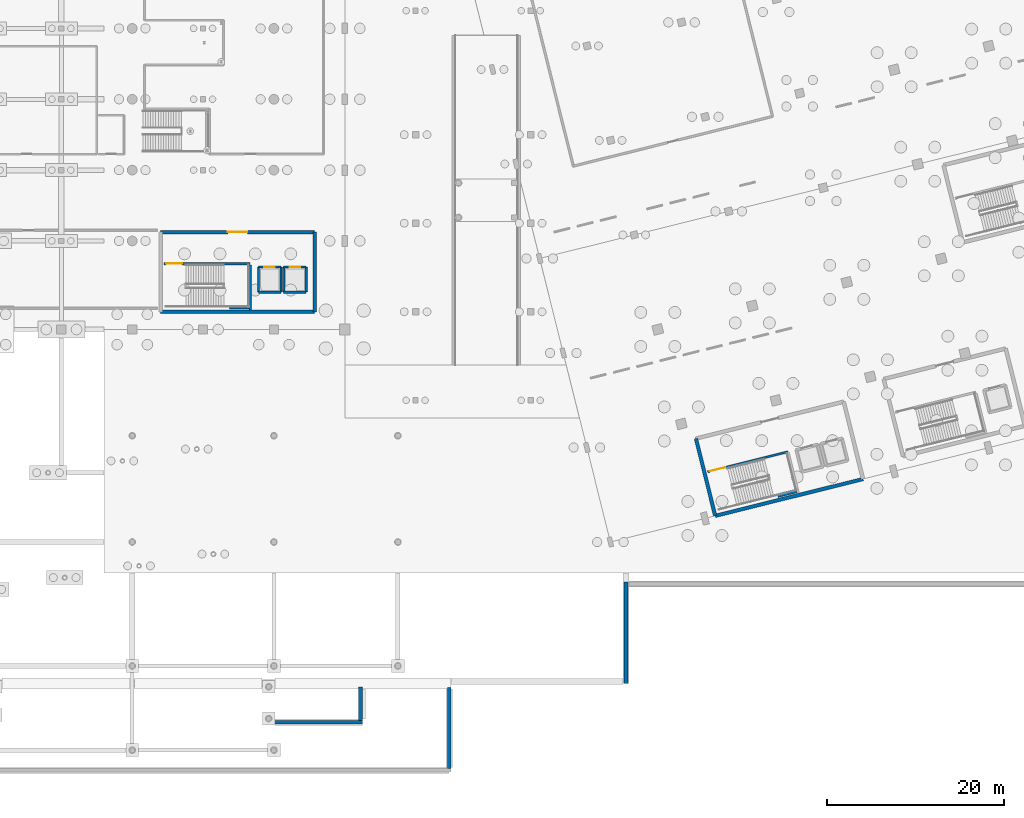
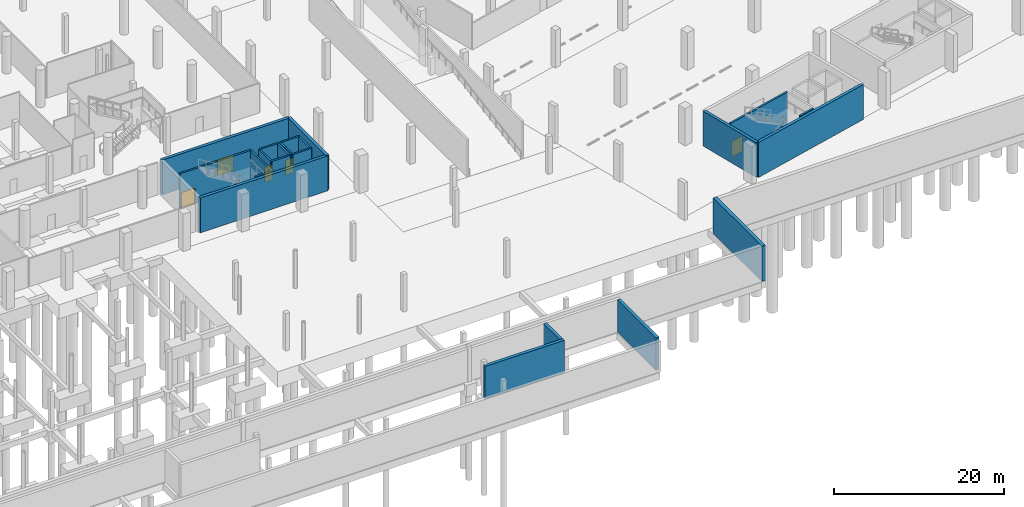
# One storey, part 52 of 65: 22 walls, 5 doors, 5 openings.
"""IFC4 building model written with IfcOpenShell, lengths in metres."""

import ifcopenshell
import ifcopenshell.guid

model = None  # the IFC model being written
_history = None  # IfcOwnerHistory: only IFC2X3 demands one
_inside = {}  # id of a spatial element -> (the spatial element, [elements in it])
_under = {}  # id of a project, library or spatial element -> (it, [spatial elements below it])
_declared = {}  # id of a project -> (the project, [libraries it declares])
_typed = {}  # id of a type object -> (the type object, [elements of that type])
_made_of = {}  # id of a material, layer set ... -> (it, [elements and type objects made of it])


def new_model(schema):
    """Start an empty IFC model of exactly this schema.

    Asked for "IFC4X3", IfcOpenShell would pick the latest addendum, in which some entities
    have other attributes; the version numbers below select the first issue.
    IFC2X3 requires an IfcOwnerHistory on every rooted entity: one is made here for all.
    """
    global model, _history
    if schema == "IFC4X3":
        model = ifcopenshell.file(schema_version=(4, 3, 0, 0))
    else:
        model = ifcopenshell.file(schema=schema)
    _inside.clear()
    _under.clear()
    _declared.clear()
    _typed.clear()
    _made_of.clear()
    _history = None
    if model.schema == "IFC2X3":
        org = make("IfcOrganization", Name="unknown")
        user = make(
            "IfcPersonAndOrganization",
            ThePerson=make("IfcPerson", FamilyName="unknown"),
            TheOrganization=org,
        )
        app = make(
            "IfcApplication",
            ApplicationDeveloper=org,
            Version="unknown",
            ApplicationFullName="unknown",
            ApplicationIdentifier="unknown",
        )
        _history = make(
            "IfcOwnerHistory",
            OwningUser=user,
            OwningApplication=app,
            ChangeAction="ADDED",
            CreationDate=0,
        )
    return model


def make(cls, **values):
    """One entity of the class cls with the attributes given. An attribute that is None is left unset."""
    return model.create_entity(
        cls, **{name: value for name, value in values.items() if value is not None}
    )


def rooted(cls, **values):
    """An entity with a GlobalId (a new one), such as an element, a storey or a relation."""
    return make(cls, GlobalId=ifcopenshell.guid.new(), OwnerHistory=_history, **values)


def si_unit(unit_type, name, prefix=None):
    """IfcSIUnit, for example si_unit("LENGTHUNIT", "METRE", prefix="MILLI")."""
    return make("IfcSIUnit", UnitType=unit_type, Prefix=prefix, Name=name)


def assignment(units):
    """IfcUnitAssignment: the units of a project."""
    return None if units is None else make("IfcUnitAssignment", Units=units)


def point(xyz):
    """IfcCartesianPoint."""
    return None if xyz is None else make("IfcCartesianPoint", Coordinates=xyz)


def direction(xyz):
    """IfcDirection."""
    return None if xyz is None else make("IfcDirection", DirectionRatios=xyz)


def frame(location, z_axis=None, x_axis=None):
    """IfcAxis2Placement3D, a coordinate frame: its origin and axes. An axis left out is left unset."""
    return make(
        "IfcAxis2Placement3D",
        Location=point(location),
        Axis=direction(z_axis),
        RefDirection=direction(x_axis),
    )


def frame_2d(location, x_axis=None):
    """IfcAxis2Placement2D, a coordinate frame in the plane: its origin and x axis."""
    return make(
        "IfcAxis2Placement2D", Location=point(location), RefDirection=direction(x_axis)
    )


def origin():
    """The frame at (0, 0, 0) with its axes left unset."""
    return frame((0.0, 0.0, 0.0))


def place(relative_to, where):
    """IfcLocalPlacement: puts the frame where relative to a parent placement (None: the world)."""
    return make(
        "IfcLocalPlacement", PlacementRelTo=relative_to, RelativePlacement=where
    )


def context(
    kind, dimensions, precision=None, world=None, true_north=None, identifier=None
):
    """IfcGeometricRepresentationContext, for example the 3D "Model" context."""
    return make(
        "IfcGeometricRepresentationContext",
        ContextIdentifier=identifier,
        ContextType=kind,
        CoordinateSpaceDimension=dimensions,
        Precision=precision,
        WorldCoordinateSystem=world,
        TrueNorth=true_north,
    )


def subcontext(parent, identifier, kind, view, scale=None):
    """IfcGeometricRepresentationSubContext, for example "Body" below "Model"."""
    return make(
        "IfcGeometricRepresentationSubContext",
        ContextIdentifier=identifier,
        ContextType=kind,
        ParentContext=parent,
        TargetScale=scale,
        TargetView=view,
    )


def project(units=None, contexts=None):
    """IfcProject with its units and contexts."""
    return rooted(
        "IfcProject",
        Name="project",
        RepresentationContexts=contexts,
        UnitsInContext=assignment(units),
    )


def spatial(cls, under=None, at=None, **own):
    """A site, building, storey or space (cls), placed at a placement, below another one or the project."""
    s = rooted(cls, ObjectPlacement=at, **own)
    if under is not None:
        _under.setdefault(under.id(), (under, []))[1].append(s)
    return s


def profile(cls, at=None, kind="AREA", **sizes):
    """A parametric profile (cls). Its sizes go by their IFC names, for example OverallWidth=200.0."""
    return make(cls, ProfileType=kind, Position=at, **sizes)


def rectangle(**sizes):
    """IfcRectangleProfileDef."""
    return profile("IfcRectangleProfileDef", **sizes)


def extrude(swept, where, along, depth):
    """IfcExtrudedAreaSolid: the profile swept, set in the frame where, extruded along a direction by depth."""
    return make(
        "IfcExtrudedAreaSolid",
        SweptArea=swept,
        Position=where,
        ExtrudedDirection=direction(along),
        Depth=depth,
    )


def shape(context_of_items, identifier, shape_type, items):
    """IfcShapeRepresentation: the items that make up one representation, for example the "Body"."""
    return make(
        "IfcShapeRepresentation",
        ContextOfItems=context_of_items,
        RepresentationIdentifier=identifier,
        RepresentationType=shape_type,
        Items=items,
    )


def material(Name=None, Category=None):
    """IfcMaterial."""
    return make("IfcMaterial", Name=Name, Category=Category)


def layer(
    of_material, thickness, ventilated=None, Name=None, Category=None, Priority=None
):
    """IfcMaterialLayer: one layer of a wall or slab, of a material (None: an air gap)."""
    return make(
        "IfcMaterialLayer",
        Material=of_material,
        LayerThickness=thickness,
        IsVentilated=ventilated,
        Name=Name,
        Category=Category,
        Priority=Priority,
    )


def layer_set(layers, Name=None):
    """IfcMaterialLayerSet."""
    return make("IfcMaterialLayerSet", MaterialLayers=layers, LayerSetName=Name)


def made_of(thing, what):
    """Note that an element or type object is made of a material, layer set ...; save() writes the relation."""
    if what is not None:
        _made_of.setdefault(what.id(), (what, []))[1].append(thing)
    return thing


def type_object(cls, material=None, **own):
    """A type object (cls), such as IfcWallType, which elements share."""
    return made_of(rooted(cls, **own), material)


def element(
    cls,
    number,
    at=None,
    inside=None,
    cuts=None,
    type_object=None,
    material=None,
    context=None,
    identifier="Body",
    shape_type=None,
    held_by="IfcProductDefinitionShape",
    body=None,
    shapes=None,
    **own,
):
    """One element of the class cls, such as IfcWall. Its Tag is "e" and its number.

    at: its placement. inside: the storey or other place that contains it. cuts: it is an
    opening in that element (IfcRelVoidsElement). A single representation is given by context,
    identifier, shape_type and body (its items); several are given by shapes. held_by: the class
    of the entity that holds the representations. save() writes the other relations.
    """
    e = rooted(cls, Tag="e%d" % number, ObjectPlacement=at, **own)
    if body is not None:
        shapes = [shape(context, identifier, shape_type, body)]
    if shapes is not None:
        e.Representation = make(held_by, Representations=shapes)
    if inside is not None:
        _inside.setdefault(inside.id(), (inside, []))[1].append(e)
    if cuts is not None:
        rooted(
            "IfcRelVoidsElement", RelatingBuildingElement=cuts, RelatedOpeningElement=e
        )
    if type_object is not None:
        _typed.setdefault(type_object.id(), (type_object, []))[1].append(e)
    return made_of(e, material)


def fill(opening, filler):
    """IfcRelFillsElement: the door or window that sits in an opening."""
    return rooted(
        "IfcRelFillsElement",
        RelatingOpeningElement=opening,
        RelatedBuildingElement=filler,
    )


def aggregate(whole, parts):
    """IfcRelAggregates: a whole, such as a stair, and the parts it consists of."""
    return rooted("IfcRelAggregates", RelatingObject=whole, RelatedObjects=parts)


def save(model, path):
    """Write the relations noted so far, then the file.

    IfcRelAggregates (storeys below a building ...), IfcRelContainedInSpatialStructure (elements
    in a storey), IfcRelDefinesByType, IfcRelAssociatesMaterial and IfcRelDeclares: one each for
    every whole, place, type object, material and project.
    """
    for whole, parts in _under.values():
        aggregate(whole, parts)
    for where, things in _inside.values():
        rooted(
            "IfcRelContainedInSpatialStructure",
            RelatedElements=things,
            RelatingStructure=where,
        )
    for kind, things in _typed.values():
        rooted("IfcRelDefinesByType", RelatedObjects=things, RelatingType=kind)
    for what, things in _made_of.values():
        rooted("IfcRelAssociatesMaterial", RelatedObjects=things, RelatingMaterial=what)
    for by, libraries in _declared.values():
        rooted("IfcRelDeclares", RelatingContext=by, RelatedDefinitions=libraries)
    model.write(path)


model = new_model("IFC4")

# Units and contexts
model_context = context("Model", 3, precision=1e-05, world=origin(), true_north=direction((0.0, 1.0)))
body_context = subcontext(model_context, "Body", "Model", "MODEL_VIEW")
ifc_project = project(units=[si_unit("LENGTHUNIT", "METRE"), si_unit("AREAUNIT", "SQUARE_METRE"), si_unit("VOLUMEUNIT", "CUBIC_METRE"), si_unit("PLANEANGLEUNIT", "RADIAN"), si_unit("MASSUNIT", "GRAM", prefix="KILO")], contexts=[model_context])

# Site, building, storey
site_placement = place(None, origin())
site = spatial("IfcSite", under=ifc_project, at=site_placement, CompositionType="ELEMENT")
building_placement = place(site_placement, origin())
building = spatial("IfcBuilding", under=site, at=building_placement, Name="Khorjan Park Terminus", CompositionType="ELEMENT")
storey_placement = place(building_placement, frame((0.0, 0.0, -5.4)))
storey = spatial("IfcBuildingStorey", under=building, at=storey_placement, Name="B1", CompositionType="ELEMENT", Elevation=-5.4)

# Walls
ifc_material_1 = material(Name="Concrete C50/60", Category="concrete")
ifc_layer_1 = layer(ifc_material_1, 0.4)
ifc_layer_set_1 = layer_set([ifc_layer_1], Name="Concrete C50/60")
wall_type_1 = type_object("IfcWallType", Name="CW-40", PredefinedType="SHEAR", material=ifc_layer_set_1)
wall_1_placement = place(storey_placement, frame((115.2, 28.0, 0.0), z_axis=(0.0, 0.0, 1.0), x_axis=(1.0, 0.0, 0.0)))
element("IfcWall", 1, at=wall_1_placement, inside=storey, type_object=wall_type_1, Name="East Concourse Core concrete shear wall CW-40 (B1-E1)", PredefinedType="SHEAR", context=body_context, shape_type="SweptSolid", body=[
    extrude(rectangle(XDim=17.4, YDim=0.4, at=frame_2d((8.7, 0.0))), origin(), (0.0, 0.0, 1.0), 5.02),
])
wall_2_placement = place(storey_placement, frame((132.6, 28.0, 0.0), z_axis=(0.0, 0.0, 1.0), x_axis=(0.0, 1.0, 0.0)))
element("IfcWall", 2, at=wall_2_placement, inside=storey, type_object=wall_type_1, Name="East Concourse Core concrete shear wall CW-40 (B1-E2)", PredefinedType="SHEAR", context=body_context, shape_type="SweptSolid", body=[
    extrude(rectangle(XDim=9.0, YDim=0.4, at=frame_2d((4.5, 0.0))), origin(), (0.0, 0.0, 1.0), 5.02),
])

# Wall, opening, door
wall_3_placement = place(storey_placement, frame((132.6, 37.0, 0.0), z_axis=(0.0, 0.0, 1.0), x_axis=(-1.0, 0.0, 0.0)))
wall_3 = element("IfcWall", 3, at=wall_3_placement, inside=storey, type_object=wall_type_1, Name="East Concourse Core concrete shear wall CW-40 (B1-E3)", PredefinedType="SHEAR", context=body_context, shape_type="SweptSolid", body=[
    extrude(rectangle(XDim=17.4, YDim=0.4, at=frame_2d((8.7, 0.0))), origin(), (0.0, 0.0, 1.0), 5.02),
])
opening_1_placement = place(wall_3_placement, frame((7.6, 0.0, 0.0)))
opening_1 = element("IfcOpeningElement", 4, at=opening_1_placement, cuts=wall_3, Name="Opening FD-22", PredefinedType="OPENING", context=body_context, shape_type="SweptSolid", body=[
    extrude(rectangle(XDim=2.2, YDim=2.3, at=frame_2d((1.1, 1.15))), frame((0.0, 0.21, 0.0), z_axis=(0.0, -1.0, 0.0), x_axis=(1.0, 0.0, 0.0)), (0.0, 0.0, 1.0), 0.42),
])
ifc_material_2 = material(Name="Fire-Rated Steel Double Door", Category="steel")
door_type_1 = type_object("IfcDoorType", Name="FD-22", OperationType="NOTDEFINED", PredefinedType="DOOR", material=ifc_material_2)
door_1_placement = place(opening_1_placement, origin())
door_1 = element("IfcDoor", 5, at=door_1_placement, inside=storey, type_object=door_type_1, Name="East Concourse Core fire-rated exit door FD-22 (B1)", OperationType="DOUBLE_DOOR_SINGLE_SWING", OverallHeight=2.3, OverallWidth=2.2, PredefinedType="DOOR", context=body_context, shape_type="SweptSolid", body=[
    extrude(rectangle(XDim=2.2, YDim=2.3, at=frame_2d((1.1, 1.15))), frame((0.0, 0.025, 0.0), z_axis=(0.0, -1.0, 0.0), x_axis=(1.0, 0.0, 0.0)), (0.0, 0.0, 1.0), 0.05),
])
fill(opening_1, door_1)

# Walls
wall_4_placement = place(storey_placement, frame((177.8376, 4.9514, 0.0), z_axis=(0.0, 0.0, 1.0), x_axis=(0.970295179998, 0.241924086589, 0.0)))
element("IfcWall", 6, at=wall_4_placement, inside=storey, type_object=wall_type_1, Name="Operations West Firefighting Core concrete shear wall CW-40 (B1-E1)", PredefinedType="SHEAR", context=body_context, shape_type="SweptSolid", body=[
    extrude(rectangle(XDim=17.2, YDim=0.4, at=frame_2d((8.6, 0.0))), origin(), (0.0, 0.0, 1.0), 5.02),
])
wall_5_placement = place(storey_placement, frame((175.6603, 13.6841, 0.0), z_axis=(0.0, 0.0, 1.0), x_axis=(0.241921199913, -0.97029589973, 0.0)))
element("IfcWall", 7, at=wall_5_placement, inside=storey, type_object=wall_type_1, Name="Operations West Firefighting Core concrete shear wall CW-40 (B1-E4)", PredefinedType="SHEAR", context=body_context, shape_type="SweptSolid", body=[
    extrude(rectangle(XDim=9.0, YDim=0.4, at=frame_2d((4.5, 0.0))), origin(), (0.0, 0.0, 1.0), 5.02),
])
ifc_material_3 = material(Name="Concrete C40/50", Category="concrete")
ifc_layer_2 = layer(ifc_material_3, 0.42)
ifc_layer_set_2 = layer_set([ifc_layer_2], Name="Concrete C40/50")
wall_type_2 = type_object("IfcWallType", Name="RW-42", PredefinedType="SOLIDWALL", material=ifc_layer_set_2)
wall_6_placement = place(storey_placement, frame((147.79, -14.44, 0.0), z_axis=(0.0, 0.0, 1.0), x_axis=(0.0, -1.0, 0.0)))
element("IfcWall", 8, at=wall_6_placement, inside=storey, type_object=wall_type_2, Name="Grade approach concrete retaining wall RW-42 (78)", PredefinedType="SOLIDWALL", context=body_context, shape_type="SweptSolid", body=[
    extrude(rectangle(XDim=9.14, YDim=0.42, at=frame_2d((4.57, 0.0))), origin(), (0.0, 0.0, 1.0), 4.68),
])
wall_7_placement = place(storey_placement, frame((127.21, -18.35, 0.0), z_axis=(0.0, 0.0, 1.0), x_axis=(1.0, 0.0, 0.0)))
element("IfcWall", 9, at=wall_7_placement, inside=storey, type_object=wall_type_2, Name="Ramp foundation stem wall RW-42 (GRMP-S-E-S)", PredefinedType="SOLIDWALL", context=body_context, shape_type="SweptSolid", body=[
    extrude(rectangle(XDim=10.79, YDim=0.42, at=frame_2d((5.395, 0.0))), origin(), (0.0, 0.0, 1.0), 4.68),
])
wall_8_placement = place(storey_placement, frame((137.79, -18.13, 0.0), z_axis=(0.0, 0.0, 1.0), x_axis=(0.0, 1.0, 0.0)))
element("IfcWall", 10, at=wall_8_placement, inside=storey, type_object=wall_type_2, Name="Ramp toe bearing foundation wall RW-42 (GRMP-S-E)", PredefinedType="SOLIDWALL", context=body_context, shape_type="SweptSolid", body=[
    extrude(rectangle(XDim=3.78, YDim=0.42, at=frame_2d((1.89, 0.0))), origin(), (0.0, 0.0, 1.0), 4.68),
])
ifc_layer_3 = layer(ifc_material_3, 0.48)
ifc_layer_set_3 = layer_set([ifc_layer_3], Name="Concrete C40/50")
wall_type_3 = type_object("IfcWallType", Name="RW-48", PredefinedType="SOLIDWALL", material=ifc_layer_set_3)
wall_9_placement = place(storey_placement, frame((167.76, -2.512, 0.0), z_axis=(0.0, 0.0, 1.0), x_axis=(0.0, -1.0, 0.0)))
element("IfcWall", 11, at=wall_9_placement, inside=storey, type_object=wall_type_3, Name="Perimeter substructure concrete retaining wall RW-48 (58)", PredefinedType="SOLIDWALL", context=body_context, shape_type="SweptSolid", body=[
    extrude(rectangle(XDim=11.488, YDim=0.48, at=frame_2d((5.744, 0.0))), origin(), (0.0, 0.0, 1.0), 5.12),
])
ifc_layer_4 = layer(ifc_material_3, 0.25)
ifc_layer_set_4 = layer_set([ifc_layer_4], Name="Concrete C40/50")
wall_type_4 = type_object("IfcWallType", Name="SW-25", PredefinedType="SOLIDWALL", material=ifc_layer_set_4)
wall_10_placement = place(storey_placement, frame((126.25, 30.21, 0.0), z_axis=(0.0, 0.0, 1.0), x_axis=(1.0, 0.0, 0.0)))
element("IfcWall", 12, at=wall_10_placement, inside=storey, type_object=wall_type_4, Name="Lift L03 concrete shaft wall SW-25 (B1-1)", PredefinedType="SOLIDWALL", context=body_context, shape_type="SweptSolid", body=[
    extrude(rectangle(XDim=2.54, YDim=0.25, at=frame_2d((1.27, 0.0))), origin(), (0.0, 0.0, 1.0), 5.02),
])
wall_11_placement = place(storey_placement, frame((128.79, 30.21, 0.0), z_axis=(0.0, 0.0, 1.0), x_axis=(0.0, 1.0, 0.0)))
element("IfcWall", 13, at=wall_11_placement, inside=storey, type_object=wall_type_4, Name="Lift L03 concrete shaft wall SW-25 (B1-2)", PredefinedType="SOLIDWALL", context=body_context, shape_type="SweptSolid", body=[
    extrude(rectangle(XDim=2.84, YDim=0.25, at=frame_2d((1.42, 0.0))), origin(), (0.0, 0.0, 1.0), 5.02),
])

# Wall, opening, door
wall_12_placement = place(storey_placement, frame((128.79, 33.05, 0.0), z_axis=(0.0, 0.0, 1.0), x_axis=(-1.0, 0.0, 0.0)))
wall_12 = element("IfcWall", 14, at=wall_12_placement, inside=storey, type_object=wall_type_4, Name="Lift L03 concrete shaft wall SW-25 (B1-3)", PredefinedType="SOLIDWALL", context=body_context, shape_type="SweptSolid", body=[
    extrude(rectangle(XDim=2.54, YDim=0.25, at=frame_2d((1.27, 0.0))), origin(), (0.0, 0.0, 1.0), 5.02),
])
opening_2_placement = place(wall_12_placement, frame((0.67, 0.0, 0.0)))
opening_2 = element("IfcOpeningElement", 15, at=opening_2_placement, cuts=wall_12, Name="Opening LD-12", PredefinedType="OPENING", context=body_context, shape_type="SweptSolid", body=[
    extrude(rectangle(XDim=1.2, YDim=2.2, at=frame_2d((0.6, 1.1))), frame((0.0, 0.135, 0.0), z_axis=(0.0, -1.0, 0.0), x_axis=(1.0, 0.0, 0.0)), (0.0, 0.0, 1.0), 0.27),
])
ifc_material_4 = material(Name="Stainless-Steel Lift Landing Sliding Door", Category="steel")
door_type_2 = type_object("IfcDoorType", Name="LD-12", OperationType="NOTDEFINED", PredefinedType="DOOR", material=ifc_material_4)
door_2_placement = place(opening_2_placement, origin())
door_2 = element("IfcDoor", 16, at=door_2_placement, inside=storey, type_object=door_type_2, Name="Lift L03 sliding landing door LD-12 (B1)", OperationType="SLIDING_TO_LEFT", OverallHeight=2.2, OverallWidth=1.2, PredefinedType="DOOR", context=body_context, shape_type="SweptSolid", body=[
    extrude(rectangle(XDim=1.2, YDim=2.2, at=frame_2d((0.6, 1.1))), frame((0.0, 0.025, 0.0), z_axis=(0.0, -1.0, 0.0), x_axis=(1.0, 0.0, 0.0)), (0.0, 0.0, 1.0), 0.05),
])
fill(opening_2, door_2)

# Walls
wall_13_placement = place(storey_placement, frame((126.25, 33.05, 0.0), z_axis=(0.0, 0.0, 1.0), x_axis=(0.0, -1.0, 0.0)))
element("IfcWall", 17, at=wall_13_placement, inside=storey, type_object=wall_type_4, Name="Lift L03 concrete shaft wall SW-25 (B1-4)", PredefinedType="SOLIDWALL", context=body_context, shape_type="SweptSolid", body=[
    extrude(rectangle(XDim=2.84, YDim=0.25, at=frame_2d((1.42, 0.0))), origin(), (0.0, 0.0, 1.0), 5.02),
])
wall_14_placement = place(storey_placement, frame((129.11, 30.21, 0.0), z_axis=(0.0, 0.0, 1.0), x_axis=(1.0, 0.0, 0.0)))
element("IfcWall", 18, at=wall_14_placement, inside=storey, type_object=wall_type_4, Name="Lift L04 concrete shaft wall SW-25 (B1-1)", PredefinedType="SOLIDWALL", context=body_context, shape_type="SweptSolid", body=[
    extrude(rectangle(XDim=2.54, YDim=0.25, at=frame_2d((1.27, 0.0))), origin(), (0.0, 0.0, 1.0), 5.02),
])
wall_15_placement = place(storey_placement, frame((131.65, 30.21, 0.0), z_axis=(0.0, 0.0, 1.0), x_axis=(0.0, 1.0, 0.0)))
element("IfcWall", 19, at=wall_15_placement, inside=storey, type_object=wall_type_4, Name="Lift L04 concrete shaft wall SW-25 (B1-2)", PredefinedType="SOLIDWALL", context=body_context, shape_type="SweptSolid", body=[
    extrude(rectangle(XDim=2.84, YDim=0.25, at=frame_2d((1.42, 0.0))), origin(), (0.0, 0.0, 1.0), 5.02),
])

# Wall, opening, door
wall_16_placement = place(storey_placement, frame((131.65, 33.05, 0.0), z_axis=(0.0, 0.0, 1.0), x_axis=(-1.0, 0.0, 0.0)))
wall_16 = element("IfcWall", 20, at=wall_16_placement, inside=storey, type_object=wall_type_4, Name="Lift L04 concrete shaft wall SW-25 (B1-3)", PredefinedType="SOLIDWALL", context=body_context, shape_type="SweptSolid", body=[
    extrude(rectangle(XDim=2.54, YDim=0.25, at=frame_2d((1.27, 0.0))), origin(), (0.0, 0.0, 1.0), 5.02),
])
opening_3_placement = place(wall_16_placement, frame((0.67, 0.0, 0.0)))
opening_3 = element("IfcOpeningElement", 21, at=opening_3_placement, cuts=wall_16, Name="Opening LD-12", PredefinedType="OPENING", context=body_context, shape_type="SweptSolid", body=[
    extrude(rectangle(XDim=1.2, YDim=2.2, at=frame_2d((0.6, 1.1))), frame((0.0, 0.135, 0.0), z_axis=(0.0, -1.0, 0.0), x_axis=(1.0, 0.0, 0.0)), (0.0, 0.0, 1.0), 0.27),
])
door_3_placement = place(opening_3_placement, origin())
door_3 = element("IfcDoor", 22, at=door_3_placement, inside=storey, type_object=door_type_2, Name="Lift L04 sliding landing door LD-12 (B1)", OperationType="SLIDING_TO_RIGHT", OverallHeight=2.2, OverallWidth=1.2, PredefinedType="DOOR", context=body_context, shape_type="SweptSolid", body=[
    extrude(rectangle(XDim=1.2, YDim=2.2, at=frame_2d((0.6, 1.1))), frame((0.0, 0.025, 0.0), z_axis=(0.0, -1.0, 0.0), x_axis=(1.0, 0.0, 0.0)), (0.0, 0.0, 1.0), 0.05),
])
fill(opening_3, door_3)

# Wall
wall_17_placement = place(storey_placement, frame((129.11, 33.05, 0.0), z_axis=(0.0, 0.0, 1.0), x_axis=(0.0, -1.0, 0.0)))
element("IfcWall", 23, at=wall_17_placement, inside=storey, type_object=wall_type_4, Name="Lift L04 concrete shaft wall SW-25 (B1-4)", PredefinedType="SOLIDWALL", context=body_context, shape_type="SweptSolid", body=[
    extrude(rectangle(XDim=2.84, YDim=0.25, at=frame_2d((1.42, 0.0))), origin(), (0.0, 0.0, 1.0), 5.02),
])

# Wall, opening, door
wall_18_placement = place(storey_placement, frame((115.58, 33.435, 0.0), z_axis=(0.0, 0.0, 1.0), x_axis=(1.0, 0.0, 0.0)))
wall_18 = element("IfcWall", 24, at=wall_18_placement, inside=storey, type_object=wall_type_4, Name="East Concourse Core structural stairwell wall SW-25 (B1)", PredefinedType="SOLIDWALL", context=body_context, shape_type="SweptSolid", body=[
    extrude(rectangle(XDim=9.745, YDim=0.25, at=frame_2d((4.8725, 0.0))), origin(), (0.0, 0.0, 1.0), 5.02),
])
opening_4_placement = place(wall_18_placement, frame((0.25, 0.0, 0.0)))
opening_4 = element("IfcOpeningElement", 25, at=opening_4_placement, cuts=wall_18, Name="Opening FD-18", PredefinedType="OPENING", context=body_context, shape_type="SweptSolid", body=[
    extrude(rectangle(XDim=1.8, YDim=2.25, at=frame_2d((0.9, 1.125))), frame((0.0, 0.135, 0.0), z_axis=(0.0, -1.0, 0.0), x_axis=(1.0, 0.0, 0.0)), (0.0, 0.0, 1.0), 0.27),
])
door_type_3 = type_object("IfcDoorType", Name="FD-18", OperationType="NOTDEFINED", PredefinedType="DOOR", material=ifc_material_2)
door_4_placement = place(opening_4_placement, origin())
door_4 = element("IfcDoor", 26, at=door_4_placement, inside=storey, type_object=door_type_3, Name="East Concourse Core stairwell fire door FD-18 (B1)", OperationType="DOUBLE_DOOR_SINGLE_SWING", OverallHeight=2.25, OverallWidth=1.8, PredefinedType="DOOR", context=body_context, shape_type="SweptSolid", body=[
    extrude(rectangle(XDim=1.8, YDim=2.25, at=frame_2d((0.9, 1.125))), frame((0.0, 0.025, 0.0), z_axis=(0.0, -1.0, 0.0), x_axis=(1.0, 0.0, 0.0)), (0.0, 0.0, 1.0), 0.05),
])
fill(opening_4, door_4)

# Walls
wall_19_placement = place(storey_placement, frame((125.325, 28.2, 0.0), z_axis=(0.0, 0.0, 1.0), x_axis=(0.0, 1.0, 0.0)))
element("IfcWall", 27, at=wall_19_placement, inside=storey, type_object=wall_type_4, Name="East Concourse Core stairwell end bearing wall SW-25 (B1)", PredefinedType="SOLIDWALL", context=body_context, shape_type="SweptSolid", body=[
    extrude(rectangle(XDim=5.11, YDim=0.25, at=frame_2d((2.555, 0.0))), origin(), (0.0, 0.0, 1.0), 5.02),
])
wall_20_placement = place(storey_placement, frame((123.0, 28.425, 0.0), z_axis=(0.0, 0.0, 1.0), x_axis=(1.0, 0.0, 0.0)))
element("IfcWall", 28, at=wall_20_placement, inside=storey, type_object=wall_type_4, Name="East Concourse Core half-landing bearing wall SW-25 (B1)", PredefinedType="SOLIDWALL", context=body_context, shape_type="SweptSolid", body=[
    extrude(rectangle(XDim=2.2, YDim=0.25, at=frame_2d((1.1, 0.0))), origin(), (0.0, 0.0, 1.0), 5.02),
])

# Wall, opening, door
wall_21_placement = place(storey_placement, frame((176.9882, 9.9288, 0.0), z_axis=(0.0, 0.0, 1.0), x_axis=(0.970297151331, 0.241916179943, 0.0)))
wall_21 = element("IfcWall", 29, at=wall_21_placement, inside=storey, type_object=wall_type_4, Name="Operations West Firefighting Core structural stairwell wall SW-25 (B1)", PredefinedType="SOLIDWALL", context=body_context, shape_type="SweptSolid", body=[
    extrude(rectangle(XDim=9.345, YDim=0.25, at=frame_2d((4.6725, 0.0))), origin(), (0.0, 0.0, 1.0), 5.02),
])
opening_5_placement = place(wall_21_placement, frame((0.25, 0.0, 0.0)))
opening_5 = element("IfcOpeningElement", 30, at=opening_5_placement, cuts=wall_21, Name="Opening FD-18", PredefinedType="OPENING", context=body_context, shape_type="SweptSolid", body=[
    extrude(rectangle(XDim=1.8, YDim=2.25, at=frame_2d((0.9, 1.125))), frame((0.0, 0.135, 0.0), z_axis=(0.0, -1.0, 0.0), x_axis=(1.0, 0.0, 0.0)), (0.0, 0.0, 1.0), 0.27),
])
door_5_placement = place(opening_5_placement, origin())
door_5 = element("IfcDoor", 31, at=door_5_placement, inside=storey, type_object=door_type_3, Name="Operations West Firefighting Core stairwell fire door FD-18 (B1)", OperationType="DOUBLE_DOOR_SINGLE_SWING", OverallHeight=2.25, OverallWidth=1.8, PredefinedType="DOOR", context=body_context, shape_type="SweptSolid", body=[
    extrude(rectangle(XDim=1.8, YDim=2.25, at=frame_2d((0.9, 1.125))), frame((0.0, 0.025, 0.0), z_axis=(0.0, -1.0, 0.0), x_axis=(1.0, 0.0, 0.0)), (0.0, 0.0, 1.0), 0.05),
])
fill(opening_5, door_5)

# Wall
wall_22_placement = place(storey_placement, frame((184.915, 7.154, 0.0), z_axis=(0.0, 0.0, 1.0), x_axis=(0.97029738597, 0.241915238833, 0.0)))
element("IfcWall", 32, at=wall_22_placement, inside=storey, type_object=wall_type_4, Name="Operations West Firefighting Core half-landing bearing wall SW-25 (B1)", PredefinedType="SOLIDWALL", context=body_context, shape_type="SweptSolid", body=[
    extrude(rectangle(XDim=2.1999, YDim=0.25, at=frame_2d((1.0999, 0.0))), origin(), (0.0, 0.0, 1.0), 5.02),
])

save(model, "model.ifc")
